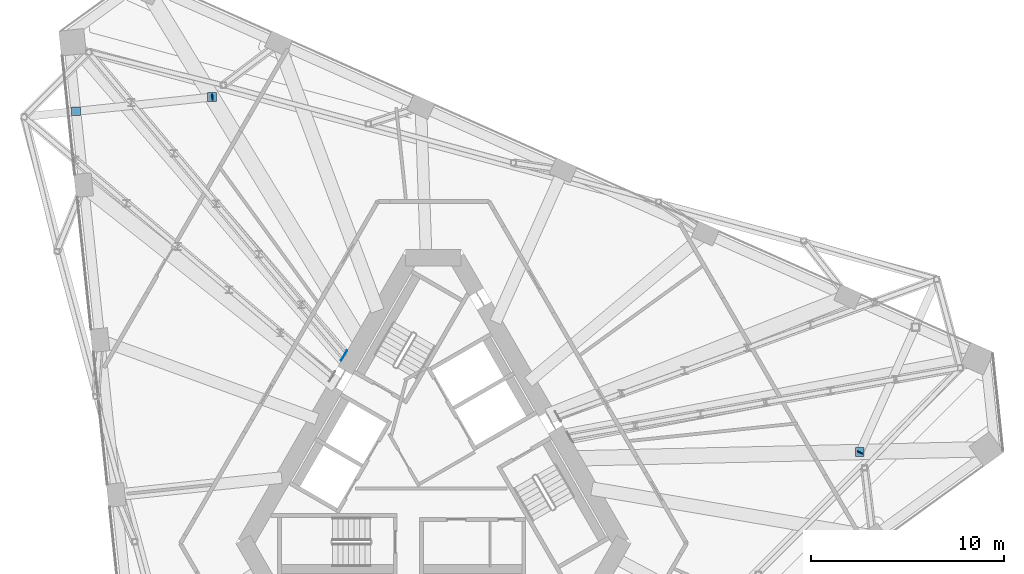
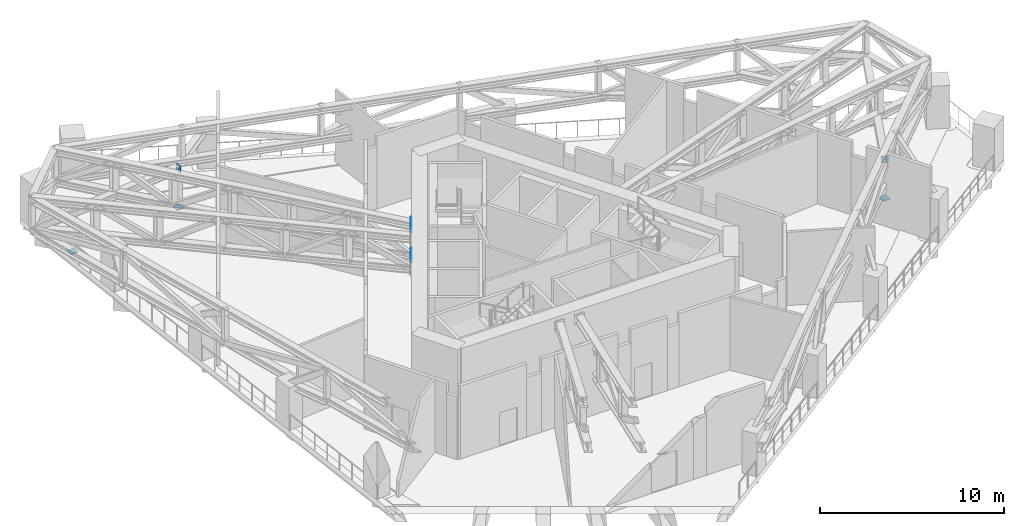
# One storey, part 20 of 26: 7 discrete accessories.
"""IFC4 building model written with IfcOpenShell, lengths in metres."""

import ifcopenshell
import ifcopenshell.guid

model = None  # the IFC model being written
_history = None  # IfcOwnerHistory: only IFC2X3 demands one
_inside = {}  # id of a spatial element -> (the spatial element, [elements in it])
_under = {}  # id of a project, library or spatial element -> (it, [spatial elements below it])
_declared = {}  # id of a project -> (the project, [libraries it declares])
_typed = {}  # id of a type object -> (the type object, [elements of that type])
_made_of = {}  # id of a material, layer set ... -> (it, [elements and type objects made of it])


def new_model(schema):
    """Start an empty IFC model of exactly this schema.

    Asked for "IFC4X3", IfcOpenShell would pick the latest addendum, in which some entities
    have other attributes; the version numbers below select the first issue.
    IFC2X3 requires an IfcOwnerHistory on every rooted entity: one is made here for all.
    """
    global model, _history
    if schema == "IFC4X3":
        model = ifcopenshell.file(schema_version=(4, 3, 0, 0))
    else:
        model = ifcopenshell.file(schema=schema)
    _inside.clear()
    _under.clear()
    _declared.clear()
    _typed.clear()
    _made_of.clear()
    _history = None
    if model.schema == "IFC2X3":
        org = make("IfcOrganization", Name="unknown")
        user = make(
            "IfcPersonAndOrganization",
            ThePerson=make("IfcPerson", FamilyName="unknown"),
            TheOrganization=org,
        )
        app = make(
            "IfcApplication",
            ApplicationDeveloper=org,
            Version="unknown",
            ApplicationFullName="unknown",
            ApplicationIdentifier="unknown",
        )
        _history = make(
            "IfcOwnerHistory",
            OwningUser=user,
            OwningApplication=app,
            ChangeAction="ADDED",
            CreationDate=0,
        )
    return model


def make(cls, **values):
    """One entity of the class cls with the attributes given. An attribute that is None is left unset."""
    return model.create_entity(
        cls, **{name: value for name, value in values.items() if value is not None}
    )


def rooted(cls, **values):
    """An entity with a GlobalId (a new one), such as an element, a storey or a relation."""
    return make(cls, GlobalId=ifcopenshell.guid.new(), OwnerHistory=_history, **values)


def si_unit(unit_type, name, prefix=None):
    """IfcSIUnit, for example si_unit("LENGTHUNIT", "METRE", prefix="MILLI")."""
    return make("IfcSIUnit", UnitType=unit_type, Prefix=prefix, Name=name)


def assignment(units):
    """IfcUnitAssignment: the units of a project."""
    return None if units is None else make("IfcUnitAssignment", Units=units)


def point(xyz):
    """IfcCartesianPoint."""
    return None if xyz is None else make("IfcCartesianPoint", Coordinates=xyz)


def direction(xyz):
    """IfcDirection."""
    return None if xyz is None else make("IfcDirection", DirectionRatios=xyz)


def frame(location, z_axis=None, x_axis=None):
    """IfcAxis2Placement3D, a coordinate frame: its origin and axes. An axis left out is left unset."""
    return make(
        "IfcAxis2Placement3D",
        Location=point(location),
        Axis=direction(z_axis),
        RefDirection=direction(x_axis),
    )


def frame_2d(location, x_axis=None):
    """IfcAxis2Placement2D, a coordinate frame in the plane: its origin and x axis."""
    return make(
        "IfcAxis2Placement2D", Location=point(location), RefDirection=direction(x_axis)
    )


def origin():
    """The frame at (0, 0, 0) with its axes left unset."""
    return frame((0.0, 0.0, 0.0))


def origin_2d():
    """The frame at (0, 0) in the plane with its x axis left unset."""
    return frame_2d((0.0, 0.0))


def place(relative_to, where):
    """IfcLocalPlacement: puts the frame where relative to a parent placement (None: the world)."""
    return make(
        "IfcLocalPlacement", PlacementRelTo=relative_to, RelativePlacement=where
    )


def context(
    kind, dimensions, precision=None, world=None, true_north=None, identifier=None
):
    """IfcGeometricRepresentationContext, for example the 3D "Model" context."""
    return make(
        "IfcGeometricRepresentationContext",
        ContextIdentifier=identifier,
        ContextType=kind,
        CoordinateSpaceDimension=dimensions,
        Precision=precision,
        WorldCoordinateSystem=world,
        TrueNorth=true_north,
    )


def subcontext(parent, identifier, kind, view, scale=None):
    """IfcGeometricRepresentationSubContext, for example "Body" below "Model"."""
    return make(
        "IfcGeometricRepresentationSubContext",
        ContextIdentifier=identifier,
        ContextType=kind,
        ParentContext=parent,
        TargetScale=scale,
        TargetView=view,
    )


def project(units=None, contexts=None):
    """IfcProject with its units and contexts."""
    return rooted(
        "IfcProject",
        Name="project",
        RepresentationContexts=contexts,
        UnitsInContext=assignment(units),
    )


def spatial(cls, under=None, at=None, **own):
    """A site, building, storey or space (cls), placed at a placement, below another one or the project."""
    s = rooted(cls, ObjectPlacement=at, **own)
    if under is not None:
        _under.setdefault(under.id(), (under, []))[1].append(s)
    return s


def profile(cls, at=None, kind="AREA", **sizes):
    """A parametric profile (cls). Its sizes go by their IFC names, for example OverallWidth=200.0."""
    return make(cls, ProfileType=kind, Position=at, **sizes)


def rectangle(**sizes):
    """IfcRectangleProfileDef."""
    return profile("IfcRectangleProfileDef", **sizes)


def extrude(swept, where, along, depth):
    """IfcExtrudedAreaSolid: the profile swept, set in the frame where, extruded along a direction by depth."""
    return make(
        "IfcExtrudedAreaSolid",
        SweptArea=swept,
        Position=where,
        ExtrudedDirection=direction(along),
        Depth=depth,
    )


def shape(context_of_items, identifier, shape_type, items):
    """IfcShapeRepresentation: the items that make up one representation, for example the "Body"."""
    return make(
        "IfcShapeRepresentation",
        ContextOfItems=context_of_items,
        RepresentationIdentifier=identifier,
        RepresentationType=shape_type,
        Items=items,
    )


def material(Name=None, Category=None):
    """IfcMaterial."""
    return make("IfcMaterial", Name=Name, Category=Category)


def layer(
    of_material, thickness, ventilated=None, Name=None, Category=None, Priority=None
):
    """IfcMaterialLayer: one layer of a wall or slab, of a material (None: an air gap)."""
    return make(
        "IfcMaterialLayer",
        Material=of_material,
        LayerThickness=thickness,
        IsVentilated=ventilated,
        Name=Name,
        Category=Category,
        Priority=Priority,
    )


def layer_set(layers, Name=None):
    """IfcMaterialLayerSet."""
    return make("IfcMaterialLayerSet", MaterialLayers=layers, LayerSetName=Name)


def made_of(thing, what):
    """Note that an element or type object is made of a material, layer set ...; save() writes the relation."""
    if what is not None:
        _made_of.setdefault(what.id(), (what, []))[1].append(thing)
    return thing


def type_object(cls, material=None, **own):
    """A type object (cls), such as IfcWallType, which elements share."""
    return made_of(rooted(cls, **own), material)


def element(
    cls,
    number,
    at=None,
    inside=None,
    cuts=None,
    type_object=None,
    material=None,
    context=None,
    identifier="Body",
    shape_type=None,
    held_by="IfcProductDefinitionShape",
    body=None,
    shapes=None,
    **own,
):
    """One element of the class cls, such as IfcWall. Its Tag is "e" and its number.

    at: its placement. inside: the storey or other place that contains it. cuts: it is an
    opening in that element (IfcRelVoidsElement). A single representation is given by context,
    identifier, shape_type and body (its items); several are given by shapes. held_by: the class
    of the entity that holds the representations. save() writes the other relations.
    """
    e = rooted(cls, Tag="e%d" % number, ObjectPlacement=at, **own)
    if body is not None:
        shapes = [shape(context, identifier, shape_type, body)]
    if shapes is not None:
        e.Representation = make(held_by, Representations=shapes)
    if inside is not None:
        _inside.setdefault(inside.id(), (inside, []))[1].append(e)
    if cuts is not None:
        rooted(
            "IfcRelVoidsElement", RelatingBuildingElement=cuts, RelatedOpeningElement=e
        )
    if type_object is not None:
        _typed.setdefault(type_object.id(), (type_object, []))[1].append(e)
    return made_of(e, material)


def aggregate(whole, parts):
    """IfcRelAggregates: a whole, such as a stair, and the parts it consists of."""
    return rooted("IfcRelAggregates", RelatingObject=whole, RelatedObjects=parts)


def save(model, path):
    """Write the relations noted so far, then the file.

    IfcRelAggregates (storeys below a building ...), IfcRelContainedInSpatialStructure (elements
    in a storey), IfcRelDefinesByType, IfcRelAssociatesMaterial and IfcRelDeclares: one each for
    every whole, place, type object, material and project.
    """
    for whole, parts in _under.values():
        aggregate(whole, parts)
    for where, things in _inside.values():
        rooted(
            "IfcRelContainedInSpatialStructure",
            RelatedElements=things,
            RelatingStructure=where,
        )
    for kind, things in _typed.values():
        rooted("IfcRelDefinesByType", RelatedObjects=things, RelatingType=kind)
    for what, things in _made_of.values():
        rooted("IfcRelAssociatesMaterial", RelatedObjects=things, RelatingMaterial=what)
    for by, libraries in _declared.values():
        rooted("IfcRelDeclares", RelatingContext=by, RelatedDefinitions=libraries)
    model.write(path)


model = new_model("IFC4")

# Units and contexts
model_context = context("Model", 3, precision=1e-05, world=origin(), true_north=direction((0.0, 1.0)))
body_context = subcontext(model_context, "Body", "Model", "MODEL_VIEW")
ifc_project = project(units=[si_unit("LENGTHUNIT", "METRE"), si_unit("AREAUNIT", "SQUARE_METRE"), si_unit("VOLUMEUNIT", "CUBIC_METRE"), si_unit("PLANEANGLEUNIT", "RADIAN"), si_unit("MASSUNIT", "GRAM", prefix="KILO")], contexts=[model_context])

# Site, building, storey
site_placement = place(None, origin())
site = spatial("IfcSite", under=ifc_project, at=site_placement, CompositionType="ELEMENT")
building_placement = place(site_placement, origin())
building = spatial("IfcBuilding", under=site, at=building_placement, Name="Tramontana Tower", CompositionType="ELEMENT")
storey_placement = place(building_placement, frame((0.0, 0.0, 194.800048828125)))
storey = spatial("IfcBuildingStorey", under=building, at=storey_placement, Name="L45", CompositionType="ELEMENT", Elevation=194.800048828125)

# Discrete accessories
ifc_material_1 = material(Name="Steel ASTM A572 Grade 50", Category="steel")
ifc_layer_1 = layer(ifc_material_1, 0.0400390625)
ifc_layer_set_1 = layer_set([ifc_layer_1], Name="Base plate 450X450X40")
discrete_accessory_type_1 = type_object("IfcDiscreteAccessoryType", Name="Base plate 450X450X40", PredefinedType="ANCHORPLATE", material=ifc_layer_set_1)
for number, where, z_axis, x_axis, name in (
    (1, (-18.551513671875, 18.17529296875, 0.0), (0.0, 0.0, 1.0), (1.0, 0.0, 0.0), "Transfer truss post base plate C5K1.1"),
    (2, (-11.49462890625, 18.9169921875, 0.0), (0.0, 0.0, 1.0), (1.0, 0.0, 0.0), "Transfer truss post base plate C5K1.2"),
    (3, (22.1298828125, 0.49609375, 0.0), (0.0, 0.0, 1.0), (1.0, 0.0, 0.0), "Transfer truss post base plate C5K5.2"),
):
    element("IfcDiscreteAccessory", number, at=place(storey_placement, frame(where, z_axis=z_axis, x_axis=x_axis)), inside=storey, type_object=discrete_accessory_type_1, Name=name, PredefinedType="ANCHORPLATE", context=body_context, shape_type="SweptSolid", body=[
        extrude(rectangle(XDim=0.449951171875, YDim=0.449951171875, at=origin_2d()), origin(), (0.0, 0.0, 1.0), 0.0400390625),
    ])
ifc_material_2 = material(Name="Steel ASTM A572 Grade 50", Category="steel")
ifc_layer_2 = layer(ifc_material_2, 0.0400390625)
ifc_layer_set_2 = layer_set([ifc_layer_2], Name="Cast-in plate 600X650X40")
discrete_accessory_type_2 = type_object("IfcDiscreteAccessoryType", Name="Cast-in plate 600X650X40", PredefinedType="ANCHORPLATE", material=ifc_layer_set_2)
for number, where, z_axis, x_axis, name in (
    (4, (-4.640380859375, 5.50244140625, 2.29248046875), (0.0, 0.0, 1.0), (-0.5, -0.866025403784, 0.0), "Cast-in plate Transfer truss 5 bottom chord"),
    (5, (-4.640380859375, 5.50244140625, 4.3076171875), (0.0, 0.0, 1.0), (-0.5, -0.866025403784, 0.0), "Cast-in plate Transfer truss 5 top chord"),
):
    element("IfcDiscreteAccessory", number, at=place(storey_placement, frame(where, z_axis=z_axis, x_axis=x_axis)), inside=storey, type_object=discrete_accessory_type_2, Name=name, PredefinedType="ANCHORPLATE", context=body_context, shape_type="SweptSolid", body=[
        extrude(rectangle(XDim=0.60009765625, YDim=0.0400390625, at=origin_2d()), origin(), (0.0, 0.0, 1.0), 0.64990234375),
    ])
ifc_material_3 = material(Name="Steel ASTM A572 Grade 50", Category="steel")
ifc_layer_3 = layer(ifc_material_3, 0.0400390625)
ifc_layer_set_3 = layer_set([ifc_layer_3], Name="End plate 413X435X40")
discrete_accessory_type_3 = type_object("IfcDiscreteAccessoryType", Name="End plate 413X435X40", PredefinedType="ANCHORPLATE", material=ifc_layer_set_3)
for number, where, z_axis, x_axis, name in (
    (6, (-11.474853515625, 18.919189453125, 2.39990234375), (0.0, 0.0, 1.0), (0.104528463268, -0.994521895368, 0.0), "Transfer truss girder end plate C5K1.2"),
    (7, (22.121826171875, 0.477783203125, 2.39990234375), (0.0, 0.0, 1.0), (-0.913545457643, 0.406736643076, 0.0), "Transfer truss girder end plate C5K5.2"),
):
    element("IfcDiscreteAccessory", number, at=place(storey_placement, frame(where, z_axis=z_axis, x_axis=x_axis)), inside=storey, type_object=discrete_accessory_type_3, Name=name, PredefinedType="ANCHORPLATE", context=body_context, shape_type="SweptSolid", body=[
        extrude(rectangle(XDim=0.412841796875, YDim=0.0400390625, at=origin_2d()), origin(), (0.0, 0.0, 1.0), 0.43505859375),
    ])

save(model, "model.ifc")
